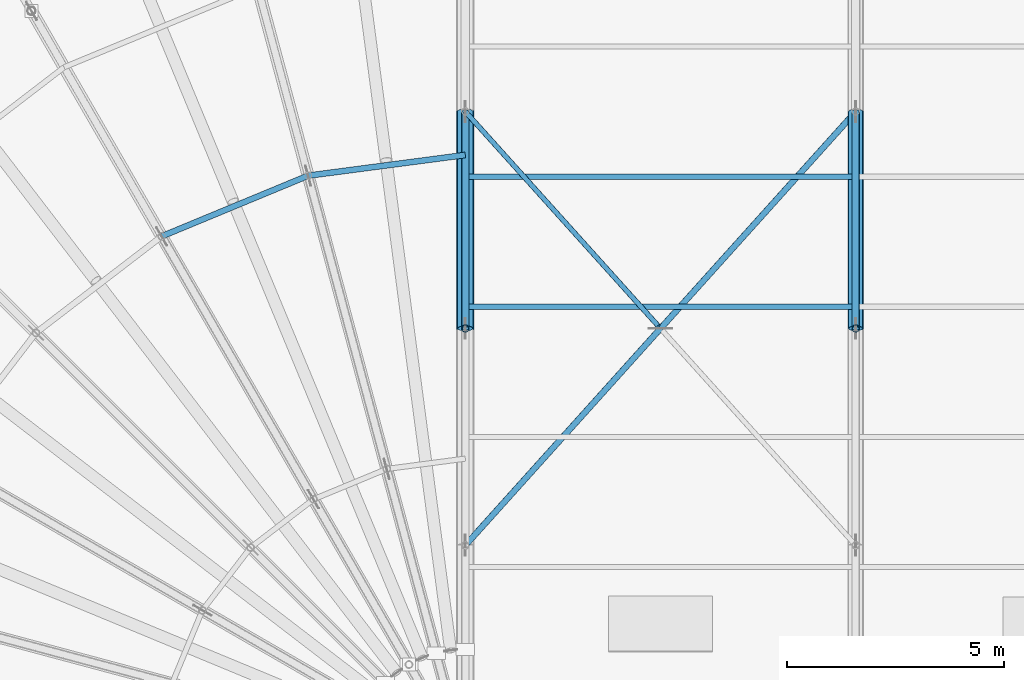
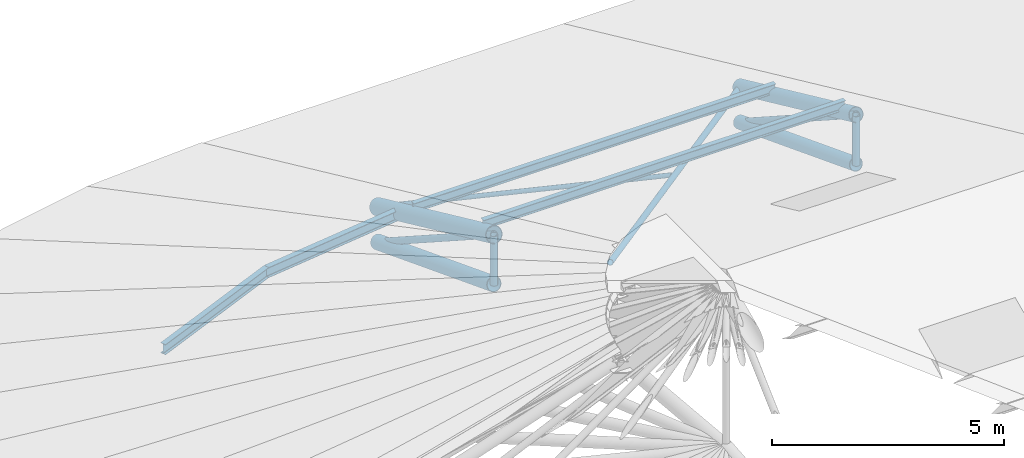
# One storey, part 42 of 107: 14 members.
"""IFC4 building model written with IfcOpenShell, lengths in metres."""

from ifc_helpers import new_model, si_unit, derived_unit, direction, frame, origin, origin_2d, place, context, subcontext, project, spatial, hollow_circle, i_section, extrude, material, material_profile, profile_set, type_object, element, save


model = new_model("IFC4")

# Units and contexts
model_context = context("Model", 3, precision=1e-05, world=origin(), true_north=direction((0.0, 1.0)))
body_context = subcontext(model_context, "Body", "Model", "MODEL_VIEW")
ifc_project = project(units=[si_unit("LENGTHUNIT", "METRE"), si_unit("AREAUNIT", "SQUARE_METRE"), si_unit("VOLUMEUNIT", "CUBIC_METRE"), si_unit("PLANEANGLEUNIT", "RADIAN"), si_unit("MASSUNIT", "GRAM", prefix="KILO"), si_unit("THERMODYNAMICTEMPERATUREUNIT", "KELVIN"), si_unit("TIMEUNIT", "SECOND"), derived_unit("THERMALTRANSMITTANCEUNIT", [(si_unit("MASSUNIT", "GRAM", prefix="KILO"), 1), (si_unit("THERMODYNAMICTEMPERATUREUNIT", "KELVIN"), -1), (si_unit("TIMEUNIT", "SECOND"), -3)])], contexts=[model_context])

# Site, building, storey
site_placement = place(None, origin())
site = spatial("IfcSite", under=ifc_project, at=site_placement, CompositionType="ELEMENT")
building_placement = place(site_placement, origin())
building = spatial("IfcBuilding", under=site, at=building_placement, Name="Cambertide Market Hall", CompositionType="ELEMENT")
storey_placement = place(building_placement, frame((0.0, 0.0, 18.300048828125)))
storey = spatial("IfcBuildingStorey", under=building, at=storey_placement, Name="RF", CompositionType="ELEMENT", Elevation=18.300048828125)

# Members
ifc_material_1 = material(Name="Steel S355", Category="steel")
ifc_material_profile_1 = material_profile(ifc_material_1, hollow_circle(Radius=0.161865234375, WallThickness=0.010009765625, at=origin_2d()), Name="CHS 323.9x10")
ifc_profile_set_1 = profile_set([ifc_material_profile_1], Name="Steel S355")
member_type_1 = type_object("IfcMemberType", Name="Arched Truss Chord CHS 323.9x10", PredefinedType="CHORD", material=ifc_profile_set_1)
member_1_placement = place(storey_placement, frame((51.0, 82.0, -6.251220703125), z_axis=(0.0, 0.933191676524, -0.359379040661), x_axis=(-1.0, 0.0, 0.0)))
element("IfcMember", 1, at=member_1_placement, inside=storey, type_object=member_type_1, Name="Roof Truss 2 Arched Bottom Chord 7", PredefinedType="CHORD", context=body_context, shape_type="SweptSolid", body=[
    extrude(hollow_circle(Radius=0.161865234375, WallThickness=0.010009765625, at=origin_2d()), origin(), (0.0, 0.0, 1.0), 5.35791015625),
])
ifc_material_2 = material(Name="Steel S355", Category="steel")
ifc_material_profile_2 = material_profile(ifc_material_2, hollow_circle(Radius=0.177734375, WallThickness=0.012451171875, at=origin_2d()), Name="CHS 355.6x12.5")
ifc_profile_set_2 = profile_set([ifc_material_profile_2], Name="Steel S355")
member_type_2 = type_object("IfcMemberType", Name="Arched Truss Chord CHS 355.6x12.5", PredefinedType="CHORD", material=ifc_profile_set_2)
member_2_placement = place(storey_placement, frame((42.0, 82.0, -6.251220703125), z_axis=(0.0, 0.933191676524, -0.359379040661), x_axis=(-1.0, 0.0, 0.0)))
element("IfcMember", 2, at=member_2_placement, inside=storey, type_object=member_type_2, Name="Roof Truss 1 Arched Bottom Chord 7", PredefinedType="CHORD", context=body_context, shape_type="SweptSolid", body=[
    extrude(hollow_circle(Radius=0.177734375, WallThickness=0.012451171875, at=origin_2d()), origin(), (0.0, 0.0, 1.0), 5.35791015625),
])
member_3_placement = place(storey_placement, frame((51.0, 82.0, -4.949951171875), z_axis=(0.0, 0.908487084298, -0.417912930721), x_axis=(-1.0, 0.0, 0.0)))
element("IfcMember", 3, at=member_3_placement, inside=storey, type_object=member_type_2, Name="Roof Truss 2 Top Chord 7", PredefinedType="CHORD", context=body_context, shape_type="SweptSolid", body=[
    extrude(hollow_circle(Radius=0.177734375, WallThickness=0.012451171875, at=origin_2d()), origin(), (0.0, 0.0, 1.0), 5.503662109375),
])
ifc_material_3 = material(Name="Steel S355", Category="steel")
ifc_material_profile_3 = material_profile(ifc_material_3, hollow_circle(Radius=0.203125, WallThickness=0.01416015625, at=origin_2d()), Name="CHS 406.4x14.2")
ifc_profile_set_3 = profile_set([ifc_material_profile_3], Name="Steel S355")
member_type_3 = type_object("IfcMemberType", Name="Arched Truss Chord CHS 406.4x14.2", PredefinedType="CHORD", material=ifc_profile_set_3)
member_4_placement = place(storey_placement, frame((42.0, 82.0, -4.949951171875), z_axis=(0.0, 0.908487084298, -0.417912930721), x_axis=(-1.0, 0.0, 0.0)))
element("IfcMember", 4, at=member_4_placement, inside=storey, type_object=member_type_3, Name="Roof Truss 1 Top Chord 7", PredefinedType="CHORD", context=body_context, shape_type="SweptSolid", body=[
    extrude(hollow_circle(Radius=0.203125, WallThickness=0.01416015625, at=origin_2d()), origin(), (0.0, 0.0, 1.0), 5.503662109375),
])
ifc_material_4 = material(Name="Steel S275", Category="steel")
ifc_material_profile_4 = material_profile(ifc_material_4, i_section(OverallWidth=0.1201171875, OverallDepth=0.239990234375, WebThickness=0.006103515625, FlangeThickness=0.009765625, FilletRadius=0.014892578125, at=origin_2d()), Name="IPE 240")
ifc_profile_set_4 = profile_set([ifc_material_profile_4], Name="Steel S275")
member_type_4 = type_object("IfcMemberType", Name="Roof Purlin IPE 240", PredefinedType="PURLIN", material=ifc_profile_set_4)
for number, where, z_axis, x_axis, name in (
    (5, (42.0, 82.5, -4.969970703125), (1.0, 0.0, 0.0), (0.0, 1.0, 0.0), "Barrel Roof Purlin 1-12"),
    (6, (42.0, 85.5, -6.35009765625), (1.0, 0.0, 0.0), (0.0, 1.0, 0.0), "Barrel Roof Purlin 1-13"),
):
    element("IfcMember", number, at=place(storey_placement, frame(where, z_axis=z_axis, x_axis=x_axis)), inside=storey, type_object=member_type_4, Name=name, PredefinedType="PURLIN", context=body_context, shape_type="SweptSolid", body=[
        extrude(i_section(OverallWidth=0.1201171875, OverallDepth=0.239990234375, WebThickness=0.006103515625, FlangeThickness=0.009765625, FilletRadius=0.014892578125, at=origin_2d()), origin(), (0.0, 0.0, 1.0), 9.0),
    ])
ifc_material_5 = material(Name="Steel S275", Category="steel")
ifc_material_profile_5 = material_profile(ifc_material_5, i_section(OverallWidth=0.135009765625, OverallDepth=0.27001953125, WebThickness=0.006591796875, FlangeThickness=0.01025390625, FilletRadius=0.014892578125, at=origin_2d()), Name="IPE 270")
ifc_profile_set_5 = profile_set([ifc_material_profile_5], Name="Steel S275")
member_type_5 = type_object("IfcMemberType", Name="Roof Purlin IPE 270", PredefinedType="PURLIN", material=ifc_profile_set_5)
for number, where, z_axis, x_axis, name in (
    (7, (42.0, 86.0, -6.7900390625), (-0.991444743541, -0.130527087244, 0.0), (0.130527087244, -0.991444743541, 0.0), "CPUR-W-140-01"),
    (8, (38.37646484375, 85.52294921875, -6.7900390625), (-0.923869460704, -0.382707746954, 0.0), (0.382707746954, -0.923869460704, 0.0), "CPUR-W-140-02"),
):
    element("IfcMember", number, at=place(storey_placement, frame(where, z_axis=z_axis, x_axis=x_axis)), inside=storey, type_object=member_type_5, Name=name, PredefinedType="PURLIN", context=body_context, shape_type="SweptSolid", body=[
        extrude(i_section(OverallWidth=0.135009765625, OverallDepth=0.27001953125, WebThickness=0.006591796875, FlangeThickness=0.01025390625, FilletRadius=0.014892578125, at=origin_2d()), origin(), (0.0, 0.0, 1.0), 3.65478515625),
    ])
ifc_material_6 = material(Name="Steel S275", Category="steel")
ifc_material_profile_6 = material_profile(ifc_material_6, hollow_circle(Radius=0.05712890625, WallThickness=0.0048828125, at=origin_2d()), Name="CHS 114.3x5")
ifc_profile_set_6 = profile_set([ifc_material_profile_6], Name="Steel S275")
member_type_6 = type_object("IfcMemberType", Name="Structural Brace CHS 114.3x5", PredefinedType="BRACE", material=ifc_profile_set_6)
member_5_placement = place(storey_placement, frame((46.45068359375, 82.054931640625, -4.975341796875), z_axis=(-0.632999690254, 0.703313698634, -0.323513884481), x_axis=(-0.743285022771, -0.66897486868, 0.0)))
element("IfcMember", 9, at=member_5_placement, inside=storey, type_object=member_type_6, Name="Roof Wind X-Brace Split Segment 1-N2B", PredefinedType="BRACE", context=body_context, shape_type="SweptSolid", body=[
    extrude(hollow_circle(Radius=0.05712890625, WallThickness=0.0048828125, at=origin_2d()), origin(), (0.0, 0.0, 1.0), 7.031005859375),
])
ifc_material_7 = material(Name="Steel S275", Category="steel")
ifc_material_profile_7 = material_profile(ifc_material_7, hollow_circle(Radius=0.06982421875, WallThickness=0.0048828125, at=origin_2d()), Name="CHS 139.7x5")
ifc_profile_set_7 = profile_set([ifc_material_profile_7], Name="Steel S275")
member_type_7 = type_object("IfcMemberType", Name="Structural Brace CHS 139.7x5", PredefinedType="BRACE", material=ifc_profile_set_7)
member_6_placement = place(storey_placement, frame((42.0, 77.0, -2.650146484375), z_axis=(0.632989261711, 0.703321401901, -0.323517542315), x_axis=(-0.743294146247, 0.668964731622, 0.0)))
element("IfcMember", 10, at=member_6_placement, inside=storey, type_object=member_type_7, Name="Roof Wind X-Brace Continuous Diagonal 1-N1", PredefinedType="BRACE", context=body_context, shape_type="SweptSolid", body=[
    extrude(hollow_circle(Radius=0.06982421875, WallThickness=0.0048828125, at=origin_2d()), origin(), (0.0, 0.0, 1.0), 14.21826171875),
])
ifc_material_8 = material(Name="Steel S355", Category="steel")
ifc_material_profile_8 = material_profile(ifc_material_8, hollow_circle(Radius=0.084228515625, WallThickness=0.00634765625, at=origin_2d()), Name="CHS 168.3x6.3")
ifc_profile_set_8 = profile_set([ifc_material_profile_8], Name="Steel S355")
member_type_8 = type_object("IfcMemberType", Name="Structural Brace CHS 168.3x6.3", PredefinedType="BRACE", material=ifc_profile_set_8)
member_7_placement = place(storey_placement, frame((42.0, 82.0, -4.949951171875), z_axis=(0.0, 0.840220073362, -0.542245542462), x_axis=(-1.0, 0.0, 0.0)))
element("IfcMember", 11, at=member_7_placement, inside=storey, type_object=member_type_8, Name="Roof Truss 1 Web Diagonal 7", PredefinedType="BRACE", context=body_context, shape_type="SweptSolid", body=[
    extrude(hollow_circle(Radius=0.084228515625, WallThickness=0.00634765625, at=origin_2d()), origin(), (0.0, 0.0, 1.0), 5.950927734375),
])
member_8_placement = place(storey_placement, frame((42.0, 82.0, -6.251220703125), z_axis=(0.0, 0.0, 1.0), x_axis=(1.0, 0.0, 0.0)))
element("IfcMember", 12, at=member_8_placement, inside=storey, type_object=member_type_8, Name="Roof Truss 1 Web Post 7", PredefinedType="BRACE", context=body_context, shape_type="SweptSolid", body=[
    extrude(hollow_circle(Radius=0.084228515625, WallThickness=0.00634765625, at=origin_2d()), origin(), (0.0, 0.0, 1.0), 1.30126953125),
])
member_9_placement = place(storey_placement, frame((51.0, 82.0, -4.949951171875), z_axis=(0.0, 0.840220073362, -0.542245542462), x_axis=(-1.0, 0.0, 0.0)))
element("IfcMember", 13, at=member_9_placement, inside=storey, type_object=member_type_8, Name="Roof Truss 2 Web Diagonal 7", PredefinedType="BRACE", context=body_context, shape_type="SweptSolid", body=[
    extrude(hollow_circle(Radius=0.084228515625, WallThickness=0.00634765625, at=origin_2d()), origin(), (0.0, 0.0, 1.0), 5.950927734375),
])
member_10_placement = place(storey_placement, frame((51.0, 82.0, -6.251220703125), z_axis=(0.0, 0.0, 1.0), x_axis=(1.0, 0.0, 0.0)))
element("IfcMember", 14, at=member_10_placement, inside=storey, type_object=member_type_8, Name="Roof Truss 2 Web Post 7", PredefinedType="BRACE", context=body_context, shape_type="SweptSolid", body=[
    extrude(hollow_circle(Radius=0.084228515625, WallThickness=0.00634765625, at=origin_2d()), origin(), (0.0, 0.0, 1.0), 1.30126953125),
])

save(model, "model.ifc")
